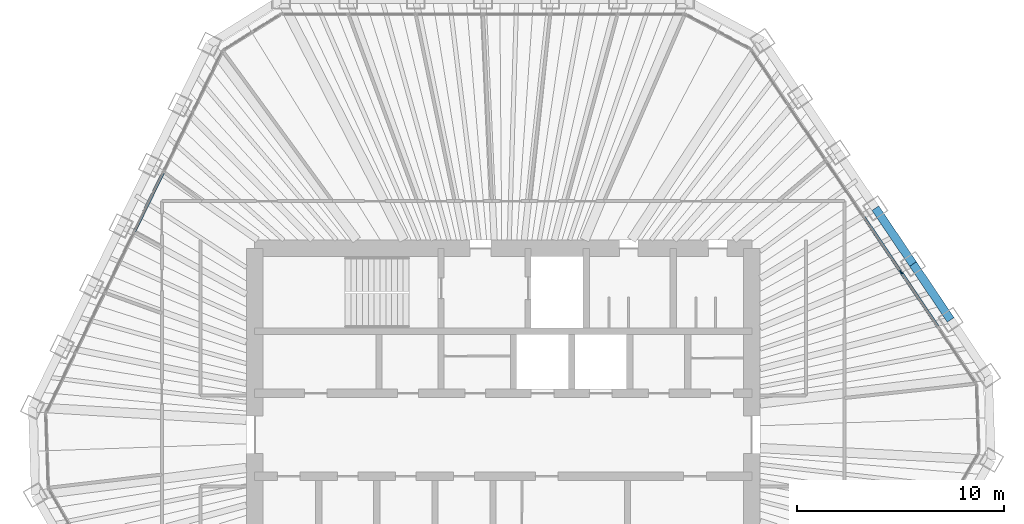
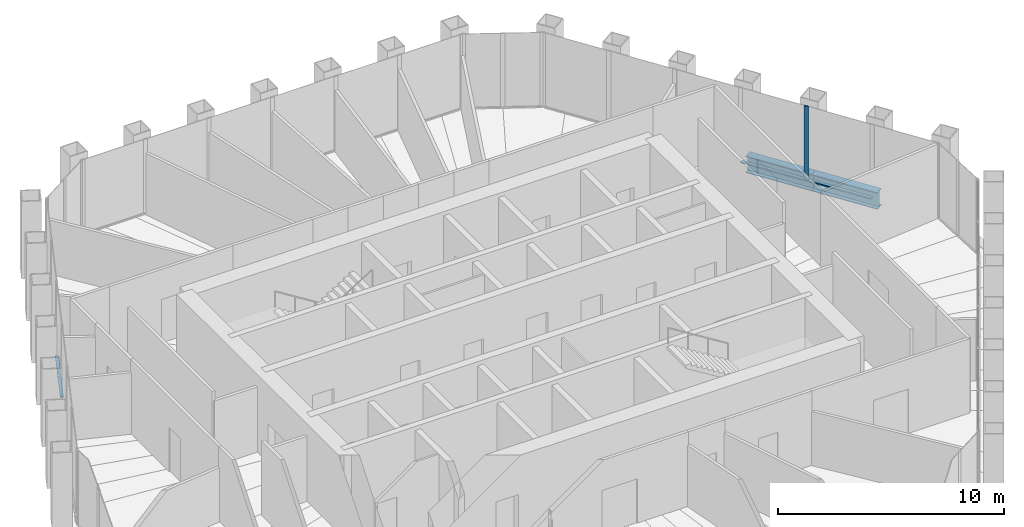
# One storey, part 6 of 15: 4 members, 2 beams, 2 elements without a shape of their own.
"""IFC4 building model written with IfcOpenShell, lengths in metres."""

from ifc_helpers import new_model, si_unit, direction, frame, origin, origin_2d, place, context, subcontext, project, spatial, rectangle, i_section, extrude, material, material_profile, profile_set, type_object, element, aggregate, save


model = new_model("IFC4")

# Units and contexts
model_context = context("Model", 3, precision=1e-05, world=origin(), true_north=direction((0.0, 1.0)))
body_context = subcontext(model_context, "Body", "Model", "MODEL_VIEW")
ifc_project = project(units=[si_unit("LENGTHUNIT", "METRE"), si_unit("AREAUNIT", "SQUARE_METRE"), si_unit("VOLUMEUNIT", "CUBIC_METRE"), si_unit("PLANEANGLEUNIT", "RADIAN"), si_unit("MASSUNIT", "GRAM", prefix="KILO")], contexts=[model_context])

# Site, building, storey
site_placement = place(None, origin())
site = spatial("IfcSite", under=ifc_project, at=site_placement, CompositionType="ELEMENT")
building_placement = place(site_placement, origin())
building = spatial("IfcBuilding", under=site, at=building_placement, Name="Qingtian Harvest Tower", CompositionType="ELEMENT")
storey_placement = place(building_placement, frame((0.0, 0.0, 312.39990234375)))
storey = spatial("IfcBuildingStorey", under=building, at=storey_placement, Name="L69", CompositionType="ELEMENT", Elevation=312.39990234375)

# Curtain wall, member
ifc_material_1 = material(Name="Bronze-anodised aluminium curtain wall", Category="aluminium")
curtain_wall_type = type_object("IfcCurtainWallType", Name="Curtain wall CW5 upper office", PredefinedType="USERDEFINED", material=ifc_material_1)
curtain_wall_1_placement = place(storey_placement, origin())
curtain_wall_1 = element("IfcCurtainWall", 1, at=curtain_wall_1_placement, inside=storey, type_object=curtain_wall_type, Name="Curtain wall CW5 L69 NE0-5", ObjectType="RECESSED CURTAIN WALL", PredefinedType="USERDEFINED")
ifc_material_2 = material(Name="Bronze-anodised aluminium mullion", Category="aluminium")
ifc_material_profile_1 = material_profile(ifc_material_2, rectangle(XDim=0.06494140625, YDim=0.199951171875, at=origin_2d()), Name="AL 65x200")
ifc_profile_set_1 = profile_set([ifc_material_profile_1], Name="Bronze-anodised aluminium mullion")
member_type_1 = type_object("IfcMemberType", Name="Mullion CWM 65x200", PredefinedType="MULLION", material=ifc_profile_set_1)
member_1_placement = place(storey_placement, frame((19.192626953125, 7.847900390625, 0.0), z_axis=(0.0, 0.0, 1.0), x_axis=(0.829037572555, 0.559192903471, 0.0)))
member_1 = element("IfcMember", 2, at=member_1_placement, type_object=member_type_1, Name="CW5 mullion 5", PredefinedType="MULLION", context=body_context, shape_type="SweptSolid", body=[
    extrude(rectangle(XDim=0.06494140625, YDim=0.199951171875, at=origin_2d()), origin(), (0.0, 0.0, 1.0), 4.030029296875),
])

# Beams
ifc_material_3 = material(Name="Steel SN490B", Category="steel")
ifc_material_profile_2 = material_profile(ifc_material_3, i_section(OverallWidth=0.39990234375, OverallDepth=0.89990234375, WebThickness=0.01904296875, FlangeThickness=0.035888671875, at=origin_2d()), Name="H900x400x19x36")
ifc_profile_set_2 = profile_set([ifc_material_profile_2], Name="Steel SN490B")
beam_type = type_object("IfcBeamType", Name="Spandrel beam SB4 H900x400x19x36", PredefinedType="SPANDREL", material=ifc_profile_set_2)
for number, where, z_axis, x_axis, name in (
    (3, (17.956787109375, 10.93212890625, -0.449951171875), (0.55915007887, -0.829066456504, 0.0), (0.829066456504, 0.55915007887, 0.0), "Spandrel SB4 NE3"),
    (4, (19.77294921875, 8.2392578125, -0.449951171875), (0.5592365864, -0.829008106372, 0.0), (0.829008106372, 0.5592365864, 0.0), "Spandrel SB4 NE4"),
):
    element("IfcBeam", number, at=place(storey_placement, frame(where, z_axis=z_axis, x_axis=x_axis)), inside=storey, type_object=beam_type, Name=name, PredefinedType="SPANDREL", context=body_context, shape_type="SweptSolid", body=[
        extrude(i_section(OverallWidth=0.39990234375, OverallDepth=0.89990234375, WebThickness=0.01904296875, FlangeThickness=0.035888671875, at=origin_2d()), origin(), (0.0, 0.0, 1.0), 3.248046875),
    ])

# Member
ifc_material_4 = material(Name="Bronze-anodised aluminium transom", Category="aluminium")
ifc_material_profile_3 = material_profile(ifc_material_4, rectangle(XDim=0.14990234375, YDim=0.06494140625, at=origin_2d()), Name="AL 65x150")
ifc_profile_set_3 = profile_set([ifc_material_profile_3], Name="Bronze-anodised aluminium transom")
member_type_2 = type_object("IfcMemberType", Name="Transom CWT 65x150", PredefinedType="USERDEFINED", material=ifc_profile_set_3)
member_2_placement = place(storey_placement, frame((17.39453125, 10.513671875, 0.03271484375), z_axis=(0.55920542009, -0.829029129852, 0.0), x_axis=(0.829029129852, 0.55920542009, 0.0)))
member_2 = element("IfcMember", 5, at=member_2_placement, type_object=member_type_2, Name="CW5 transom 4.1", ObjectType="TRANSOM", PredefinedType="USERDEFINED", context=body_context, shape_type="SweptSolid", body=[
    extrude(rectangle(XDim=0.14990234375, YDim=0.06494140625, at=origin_2d()), origin(), (0.0, 0.0, 1.0), 3.18310546875),
])

member_3_placement = place(storey_placement, frame((19.2109375, 7.821044921875, 0.03271484375), z_axis=(0.559152702955, -0.829064686727, 0.0), x_axis=(0.829064686727, 0.559152702955, 0.0)))
member_3 = element("IfcMember", 6, at=member_3_placement, type_object=member_type_2, Name="CW5 transom 5.1", ObjectType="TRANSOM", PredefinedType="USERDEFINED", context=body_context, shape_type="SweptSolid", body=[
    extrude(rectangle(XDim=0.14990234375, YDim=0.06494140625, at=origin_2d()), origin(), (0.0, 0.0, 1.0), 3.18310546875),
])

aggregate(curtain_wall_1, [member_1, member_2, member_3])

# Curtain wall, member
curtain_wall_2_placement = place(storey_placement, origin())
curtain_wall_2 = element("IfcCurtainWall", 7, at=curtain_wall_2_placement, inside=storey, type_object=curtain_wall_type, Name="Curtain wall CW5 L69 NW0-5", ObjectType="RECESSED CURTAIN WALL", PredefinedType="USERDEFINED")
member_4_placement = place(storey_placement, frame((-17.802490234375, 9.807373046875, 0.03271484375), z_axis=(0.438355626738, 0.898801615768, 0.0), x_axis=(-0.898801615768, 0.438355626738, 0.0)))
member_4 = element("IfcMember", 8, at=member_4_placement, type_object=member_type_2, Name="CW5 transom 4.1", ObjectType="TRANSOM", PredefinedType="USERDEFINED", context=body_context, shape_type="SweptSolid", body=[
    extrude(rectangle(XDim=0.14990234375, YDim=0.06494140625, at=origin_2d()), origin(), (0.0, 0.0, 1.0), 3.182861328125),
])
aggregate(curtain_wall_2, [member_4])

save(model, "model.ifc")
